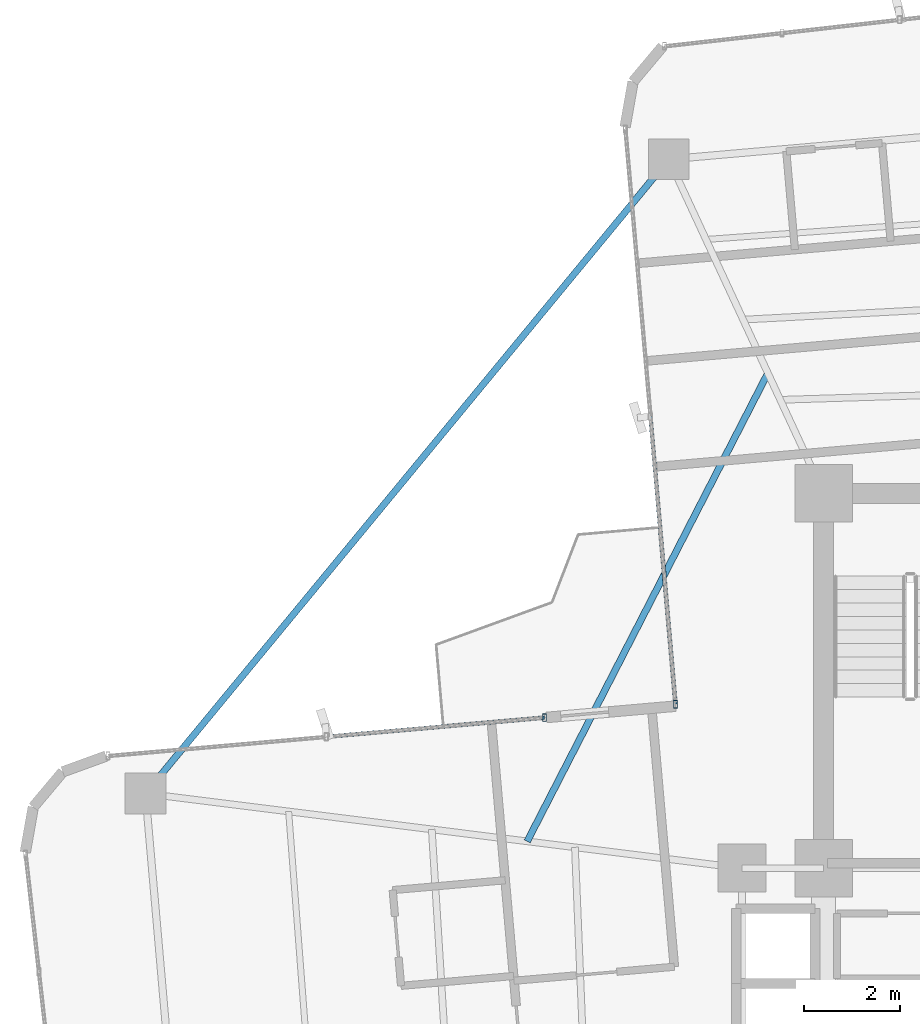
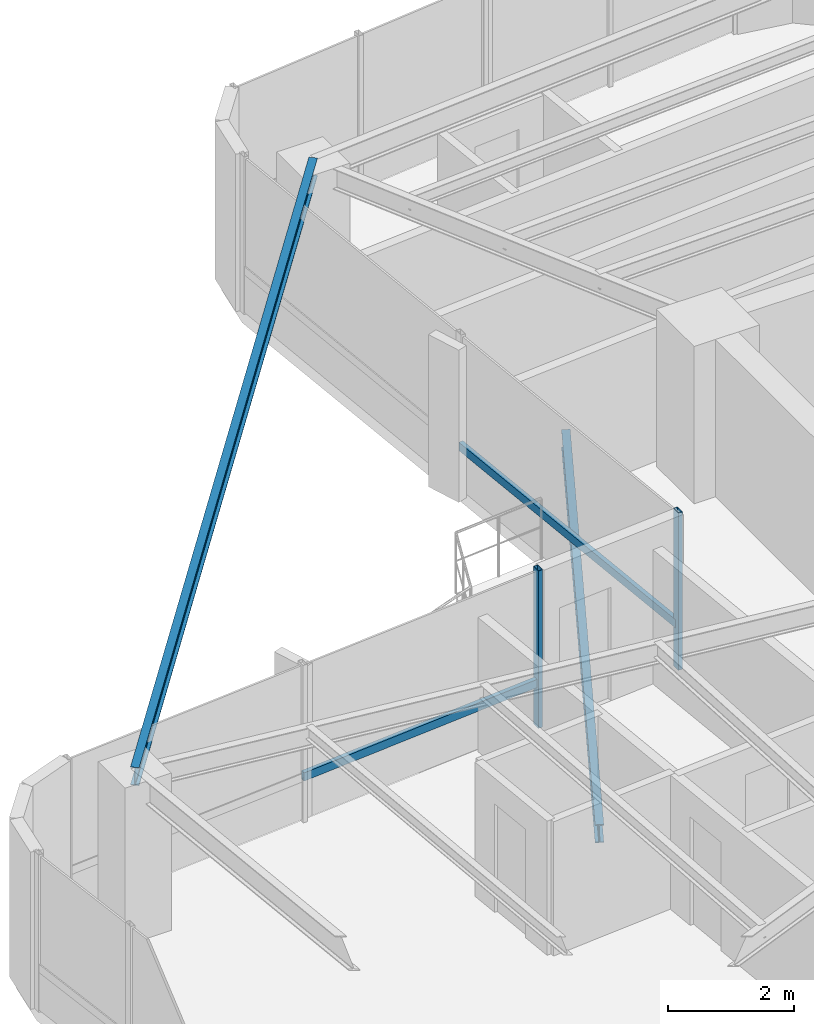
# One storey, part 10 of 24: 4 members, 2 beams, 2 elements without a shape of their own.
"""IFC4 building model written with IfcOpenShell, lengths in metres."""

import ifcopenshell
import ifcopenshell.guid

model = None  # the IFC model being written
_history = None  # IfcOwnerHistory: only IFC2X3 demands one
_inside = {}  # id of a spatial element -> (the spatial element, [elements in it])
_under = {}  # id of a project, library or spatial element -> (it, [spatial elements below it])
_declared = {}  # id of a project -> (the project, [libraries it declares])
_typed = {}  # id of a type object -> (the type object, [elements of that type])
_made_of = {}  # id of a material, layer set ... -> (it, [elements and type objects made of it])


def new_model(schema):
    """Start an empty IFC model of exactly this schema.

    Asked for "IFC4X3", IfcOpenShell would pick the latest addendum, in which some entities
    have other attributes; the version numbers below select the first issue.
    IFC2X3 requires an IfcOwnerHistory on every rooted entity: one is made here for all.
    """
    global model, _history
    if schema == "IFC4X3":
        model = ifcopenshell.file(schema_version=(4, 3, 0, 0))
    else:
        model = ifcopenshell.file(schema=schema)
    _inside.clear()
    _under.clear()
    _declared.clear()
    _typed.clear()
    _made_of.clear()
    _history = None
    if model.schema == "IFC2X3":
        org = make("IfcOrganization", Name="unknown")
        user = make(
            "IfcPersonAndOrganization",
            ThePerson=make("IfcPerson", FamilyName="unknown"),
            TheOrganization=org,
        )
        app = make(
            "IfcApplication",
            ApplicationDeveloper=org,
            Version="unknown",
            ApplicationFullName="unknown",
            ApplicationIdentifier="unknown",
        )
        _history = make(
            "IfcOwnerHistory",
            OwningUser=user,
            OwningApplication=app,
            ChangeAction="ADDED",
            CreationDate=0,
        )
    return model


def make(cls, **values):
    """One entity of the class cls with the attributes given. An attribute that is None is left unset."""
    return model.create_entity(
        cls, **{name: value for name, value in values.items() if value is not None}
    )


def rooted(cls, **values):
    """An entity with a GlobalId (a new one), such as an element, a storey or a relation."""
    return make(cls, GlobalId=ifcopenshell.guid.new(), OwnerHistory=_history, **values)


def si_unit(unit_type, name, prefix=None):
    """IfcSIUnit, for example si_unit("LENGTHUNIT", "METRE", prefix="MILLI")."""
    return make("IfcSIUnit", UnitType=unit_type, Prefix=prefix, Name=name)


def assignment(units):
    """IfcUnitAssignment: the units of a project."""
    return None if units is None else make("IfcUnitAssignment", Units=units)


def point(xyz):
    """IfcCartesianPoint."""
    return None if xyz is None else make("IfcCartesianPoint", Coordinates=xyz)


def direction(xyz):
    """IfcDirection."""
    return None if xyz is None else make("IfcDirection", DirectionRatios=xyz)


def frame(location, z_axis=None, x_axis=None):
    """IfcAxis2Placement3D, a coordinate frame: its origin and axes. An axis left out is left unset."""
    return make(
        "IfcAxis2Placement3D",
        Location=point(location),
        Axis=direction(z_axis),
        RefDirection=direction(x_axis),
    )


def frame_2d(location, x_axis=None):
    """IfcAxis2Placement2D, a coordinate frame in the plane: its origin and x axis."""
    return make(
        "IfcAxis2Placement2D", Location=point(location), RefDirection=direction(x_axis)
    )


def origin():
    """The frame at (0, 0, 0) with its axes left unset."""
    return frame((0.0, 0.0, 0.0))


def origin_2d():
    """The frame at (0, 0) in the plane with its x axis left unset."""
    return frame_2d((0.0, 0.0))


def place(relative_to, where):
    """IfcLocalPlacement: puts the frame where relative to a parent placement (None: the world)."""
    return make(
        "IfcLocalPlacement", PlacementRelTo=relative_to, RelativePlacement=where
    )


def context(
    kind, dimensions, precision=None, world=None, true_north=None, identifier=None
):
    """IfcGeometricRepresentationContext, for example the 3D "Model" context."""
    return make(
        "IfcGeometricRepresentationContext",
        ContextIdentifier=identifier,
        ContextType=kind,
        CoordinateSpaceDimension=dimensions,
        Precision=precision,
        WorldCoordinateSystem=world,
        TrueNorth=true_north,
    )


def subcontext(parent, identifier, kind, view, scale=None):
    """IfcGeometricRepresentationSubContext, for example "Body" below "Model"."""
    return make(
        "IfcGeometricRepresentationSubContext",
        ContextIdentifier=identifier,
        ContextType=kind,
        ParentContext=parent,
        TargetScale=scale,
        TargetView=view,
    )


def project(units=None, contexts=None):
    """IfcProject with its units and contexts."""
    return rooted(
        "IfcProject",
        Name="project",
        RepresentationContexts=contexts,
        UnitsInContext=assignment(units),
    )


def spatial(cls, under=None, at=None, **own):
    """A site, building, storey or space (cls), placed at a placement, below another one or the project."""
    s = rooted(cls, ObjectPlacement=at, **own)
    if under is not None:
        _under.setdefault(under.id(), (under, []))[1].append(s)
    return s


def profile(cls, at=None, kind="AREA", **sizes):
    """A parametric profile (cls). Its sizes go by their IFC names, for example OverallWidth=200.0."""
    return make(cls, ProfileType=kind, Position=at, **sizes)


def hollow_rectangle(**sizes):
    """IfcRectangleHollowProfileDef."""
    return profile("IfcRectangleHollowProfileDef", **sizes)


def i_section(**sizes):
    """IfcIShapeProfileDef."""
    return profile("IfcIShapeProfileDef", **sizes)


def extrude(swept, where, along, depth):
    """IfcExtrudedAreaSolid: the profile swept, set in the frame where, extruded along a direction by depth."""
    return make(
        "IfcExtrudedAreaSolid",
        SweptArea=swept,
        Position=where,
        ExtrudedDirection=direction(along),
        Depth=depth,
    )


def shape(context_of_items, identifier, shape_type, items):
    """IfcShapeRepresentation: the items that make up one representation, for example the "Body"."""
    return make(
        "IfcShapeRepresentation",
        ContextOfItems=context_of_items,
        RepresentationIdentifier=identifier,
        RepresentationType=shape_type,
        Items=items,
    )


def source(mapping_origin, context_of_items, identifier, shape_type, items):
    """IfcRepresentationMap: a shape defined once, which mapped items show again and again."""
    return make(
        "IfcRepresentationMap",
        MappingOrigin=mapping_origin,
        MappedRepresentation=shape(context_of_items, identifier, shape_type, items),
    )


def transform(
    local_origin,
    x_axis=None,
    y_axis=None,
    z_axis=None,
    scale=None,
    scale2=None,
    scale3=None,
    uniform=True,
):
    """IfcCartesianTransformationOperator3D, or its non-uniform kind. x_axis, y_axis, z_axis: its Axis1, 2, 3."""
    if uniform:
        return make(
            "IfcCartesianTransformationOperator3D",
            Axis1=direction(x_axis),
            Axis2=direction(y_axis),
            LocalOrigin=point(local_origin),
            Scale=scale,
            Axis3=direction(z_axis),
        )
    return make(
        "IfcCartesianTransformationOperator3DnonUniform",
        Axis1=direction(x_axis),
        Axis2=direction(y_axis),
        LocalOrigin=point(local_origin),
        Scale=scale,
        Axis3=direction(z_axis),
        Scale2=scale2,
        Scale3=scale3,
    )


def mapped(mapping_source, mapping_target):
    """IfcMappedItem: shows the shape of a source again, moved by a transform."""
    return make(
        "IfcMappedItem", MappingSource=mapping_source, MappingTarget=mapping_target
    )


def material(Name=None, Category=None):
    """IfcMaterial."""
    return make("IfcMaterial", Name=Name, Category=Category)


def material_profile(
    of_material, cross_section, Name=None, Category=None, Priority=None
):
    """IfcMaterialProfile: a cross section and its material."""
    return make(
        "IfcMaterialProfile",
        Name=Name,
        Material=of_material,
        Profile=cross_section,
        Priority=Priority,
        Category=Category,
    )


def profile_set(profiles, Name=None, composite=None):
    """IfcMaterialProfileSet."""
    return make(
        "IfcMaterialProfileSet",
        Name=Name,
        MaterialProfiles=profiles,
        CompositeProfile=composite,
    )


def made_of(thing, what):
    """Note that an element or type object is made of a material, layer set ...; save() writes the relation."""
    if what is not None:
        _made_of.setdefault(what.id(), (what, []))[1].append(thing)
    return thing


def type_object(cls, material=None, **own):
    """A type object (cls), such as IfcWallType, which elements share."""
    return made_of(rooted(cls, **own), material)


def element(
    cls,
    number,
    at=None,
    inside=None,
    cuts=None,
    type_object=None,
    material=None,
    context=None,
    identifier="Body",
    shape_type=None,
    held_by="IfcProductDefinitionShape",
    body=None,
    shapes=None,
    **own,
):
    """One element of the class cls, such as IfcWall. Its Tag is "e" and its number.

    at: its placement. inside: the storey or other place that contains it. cuts: it is an
    opening in that element (IfcRelVoidsElement). A single representation is given by context,
    identifier, shape_type and body (its items); several are given by shapes. held_by: the class
    of the entity that holds the representations. save() writes the other relations.
    """
    e = rooted(cls, Tag="e%d" % number, ObjectPlacement=at, **own)
    if body is not None:
        shapes = [shape(context, identifier, shape_type, body)]
    if shapes is not None:
        e.Representation = make(held_by, Representations=shapes)
    if inside is not None:
        _inside.setdefault(inside.id(), (inside, []))[1].append(e)
    if cuts is not None:
        rooted(
            "IfcRelVoidsElement", RelatingBuildingElement=cuts, RelatedOpeningElement=e
        )
    if type_object is not None:
        _typed.setdefault(type_object.id(), (type_object, []))[1].append(e)
    return made_of(e, material)


def aggregate(whole, parts):
    """IfcRelAggregates: a whole, such as a stair, and the parts it consists of."""
    return rooted("IfcRelAggregates", RelatingObject=whole, RelatedObjects=parts)


def save(model, path):
    """Write the relations noted so far, then the file.

    IfcRelAggregates (storeys below a building ...), IfcRelContainedInSpatialStructure (elements
    in a storey), IfcRelDefinesByType, IfcRelAssociatesMaterial and IfcRelDeclares: one each for
    every whole, place, type object, material and project.
    """
    for whole, parts in _under.values():
        aggregate(whole, parts)
    for where, things in _inside.values():
        rooted(
            "IfcRelContainedInSpatialStructure",
            RelatedElements=things,
            RelatingStructure=where,
        )
    for kind, things in _typed.values():
        rooted("IfcRelDefinesByType", RelatedObjects=things, RelatingType=kind)
    for what, things in _made_of.values():
        rooted("IfcRelAssociatesMaterial", RelatedObjects=things, RelatingMaterial=what)
    for by, libraries in _declared.values():
        rooted("IfcRelDeclares", RelatingContext=by, RelatedDefinitions=libraries)
    model.write(path)


model = new_model("IFC4")

# Units and contexts
model_context = context("Model", 3, precision=1e-05, world=origin(), true_north=direction((0.0, 1.0)))
body_context = subcontext(model_context, "Body", "Model", "MODEL_VIEW")
ifc_project = project(units=[si_unit("LENGTHUNIT", "METRE"), si_unit("AREAUNIT", "SQUARE_METRE"), si_unit("VOLUMEUNIT", "CUBIC_METRE"), si_unit("PLANEANGLEUNIT", "RADIAN"), si_unit("MASSUNIT", "GRAM", prefix="KILO")], contexts=[model_context])

# Site, building, storey
site_placement = place(None, origin())
site = spatial("IfcSite", under=ifc_project, at=site_placement, CompositionType="ELEMENT")
building_placement = place(site_placement, origin())
building = spatial("IfcBuilding", under=site, at=building_placement, Name="Sahyath Konkavel Grand Hotel", CompositionType="ELEMENT")
storey_placement = place(building_placement, frame((0.0, 0.0, 167.35009765625)))
storey = spatial("IfcBuildingStorey", under=building, at=storey_placement, Name="L46", CompositionType="ELEMENT", Elevation=167.35009765625)

# Beam
ifc_material_1 = material(Name="Steel E350", Category="steel")
ifc_material_profile_1 = material_profile(ifc_material_1, i_section(OverallWidth=0.139892578125, OverallDepth=0.35009765625, WebThickness=0.008056640625, FlangeThickness=0.01416015625, FilletRadius=0.013916015625, at=origin_2d()), Name="ISMB 350")
ifc_profile_set_1 = profile_set([ifc_material_profile_1], Name="Steel E350")
beam_type_1 = type_object("IfcBeamType", Name="BM-ISMB350", PredefinedType="BEAM", material=ifc_profile_set_1)
shared_shape_1 = source(origin(), body_context, "Body", "SweptSolid", [
    extrude(i_section(OverallWidth=0.139892578125, OverallDepth=0.35009765625, WebThickness=0.008056640625, FlangeThickness=0.01416015625, FilletRadius=0.013916015625, at=origin_2d()), origin(), (0.0, 0.0, 1.0), 17.112548828125),
])
beam_1_placement = place(storey_placement, frame((-7.021728515625, 17.1533203125, 2.875), z_axis=(-0.636437070092, -0.77132863023, 0.0), x_axis=(0.77132863023, -0.636437070092, 0.0)))
element("IfcBeam", 1, at=beam_1_placement, inside=storey, type_object=beam_type_1, Name="L46 Re-Entrant Tie Beam NW", PredefinedType="BEAM", context=body_context, shape_type="MappedRepresentation", body=[
    mapped(shared_shape_1, transform((0.0, 0.0, 0.0), scale=1.0)),
])

# Curtain wall, member
ifc_material_2 = material(Name="Anodised Bronze Aluminium & Low-E Glazing", Category="aluminium")
curtain_wall_type = type_object("IfcCurtainWallType", Name="CW-ZONE3", PredefinedType="NOTDEFINED", material=ifc_material_2)
curtain_wall_1_placement = place(storey_placement, origin())
curtain_wall_1 = element("IfcCurtainWall", 2, at=curtain_wall_1_placement, inside=storey, type_object=curtain_wall_type, Name="L46 Unitised Curtain Wall F15", PredefinedType="NOTDEFINED")
ifc_material_3 = material(Name="Anodised Bronze Aluminium", Category="aluminium")
ifc_material_profile_2 = material_profile(ifc_material_3, hollow_rectangle(XDim=0.080078125, YDim=0.159912109375, WallThickness=0.006103515625, at=origin_2d()), Name="RHS 160x80x6")
ifc_profile_set_2 = profile_set([ifc_material_profile_2], Name="Anodised Bronze Aluminium")
member_type_1 = type_object("IfcMemberType", Name="CW-MUL-160", PredefinedType="MULLION", material=ifc_profile_set_2)
shared_shape_2 = source(origin(), body_context, "Body", "SweptSolid", [
    extrude(hollow_rectangle(XDim=0.080078125, YDim=0.159912109375, WallThickness=0.006103515625, at=origin_2d()), origin(), (0.0, 0.0, 1.0), 3.0498046875),
])
member_1_placement = place(storey_placement, frame((-6.8828125, 5.812255859375, 0.0), z_axis=(0.0, 0.0, 1.0), x_axis=(1.0, 0.0, 0.0)))
member_1 = element("IfcMember", 3, at=member_1_placement, type_object=member_type_1, Name="L46 Curtain Wall Mullion F15-2", PredefinedType="MULLION", context=body_context, shape_type="MappedRepresentation", body=[
    mapped(shared_shape_2, transform((0.0, 0.0, 0.0), scale=1.0)),
])

# Curtain wall, members
curtain_wall_2_placement = place(storey_placement, origin())
curtain_wall_2 = element("IfcCurtainWall", 4, at=curtain_wall_2_placement, inside=storey, type_object=curtain_wall_type, Name="L46 Unitised Curtain Wall F16", PredefinedType="NOTDEFINED")
member_2_placement = place(storey_placement, frame((-9.60888671875, 5.53369140625, 0.0), z_axis=(0.0, 0.0, 1.0), x_axis=(1.0, 0.0, 0.0)))
member_2 = element("IfcMember", 5, at=member_2_placement, type_object=member_type_1, Name="L46 Curtain Wall Mullion F16-0", PredefinedType="MULLION", context=body_context, shape_type="MappedRepresentation", body=[
    mapped(shared_shape_2, transform((0.0, 0.0, 0.0), scale=1.0)),
])
ifc_material_profile_3 = material_profile(ifc_material_3, hollow_rectangle(XDim=0.080078125, YDim=0.159912109375, WallThickness=0.006103515625, at=origin_2d()), Name="RHS 160x80x6")
ifc_profile_set_3 = profile_set([ifc_material_profile_3], Name="Anodised Bronze Aluminium")
member_type_2 = type_object("IfcMemberType", Name="CW-TRN-160", PredefinedType="USERDEFINED", material=ifc_profile_set_3)
shared_shape_3 = source(origin(), body_context, "Body", "SweptSolid", [
    extrude(hollow_rectangle(XDim=0.080078125, YDim=0.159912109375, WallThickness=0.006103515625, at=origin_2d()), origin(), (0.0, 0.0, 1.0), 4.56005859375),
])
member_3_placement = place(storey_placement, frame((-9.60888671875, 5.53369140625, 0.849853515625), z_axis=(-0.996189590376, -0.087214104516, 0.0), x_axis=(0.087214104516, -0.996189590376, 0.0)))
member_3 = element("IfcMember", 6, at=member_3_placement, type_object=member_type_2, Name="L46 Curtain Wall Transom F16-0-spandrel", ObjectType="TRANSOM", PredefinedType="USERDEFINED", context=body_context, shape_type="MappedRepresentation", body=[
    mapped(shared_shape_3, transform((0.0, 0.0, 0.0), scale=1.0)),
])
aggregate(curtain_wall_2, [member_2, member_3])

# Member
shared_shape_4 = source(origin(), body_context, "Body", "SweptSolid", [
    extrude(hollow_rectangle(XDim=0.080078125, YDim=0.159912109375, WallThickness=0.006103515625, at=origin_2d()), origin(), (0.0, 0.0, 1.0), 6.010009765625),
])
member_4_placement = place(storey_placement, frame((-7.406494140625, 11.79931640625, 0.849853515625), z_axis=(0.087136210597, -0.996196406741, 0.0), x_axis=(0.996196406741, 0.087136210597, 0.0)))
member_4 = element("IfcMember", 7, at=member_4_placement, type_object=member_type_2, Name="L46 Curtain Wall Transom F15-1-spandrel", ObjectType="TRANSOM", PredefinedType="USERDEFINED", context=body_context, shape_type="MappedRepresentation", body=[
    mapped(shared_shape_4, transform((0.0, 0.0, 0.0), scale=1.0)),
])

aggregate(curtain_wall_1, [member_1, member_4])

# Beam
ifc_material_profile_4 = material_profile(ifc_material_1, i_section(OverallWidth=0.139892578125, OverallDepth=0.35009765625, WebThickness=0.008056640625, FlangeThickness=0.01416015625, FilletRadius=0.013916015625, at=origin_2d()), Name="ISMB 350")
ifc_profile_set_4 = profile_set([ifc_material_profile_4], Name="Steel E350")
beam_type_2 = type_object("IfcBeamType", Name="BM-BALC-CANT", PredefinedType="BEAM", material=ifc_profile_set_4)
shared_shape_5 = source(origin(), body_context, "Body", "SweptSolid", [
    extrude(i_section(OverallWidth=0.139892578125, OverallDepth=0.35009765625, WebThickness=0.008056640625, FlangeThickness=0.01416015625, FilletRadius=0.013916015625, at=origin_2d()), origin(), (0.0, 0.0, 1.0), 10.95556640625),
])
beam_2_placement = place(storey_placement, frame((-4.959716796875, 12.703125, -0.4150390625), z_axis=(-0.457186878355, -0.889370652912, 0.0), x_axis=(0.889370652912, -0.457186878355, 0.0)))
element("IfcBeam", 8, at=beam_2_placement, inside=storey, type_object=beam_type_2, Name="L46 Balcony Cantilever Support Beam NW", PredefinedType="BEAM", context=body_context, shape_type="MappedRepresentation", body=[
    mapped(shared_shape_5, transform((0.0, 0.0, 0.0), scale=1.0)),
])

save(model, "model.ifc")
